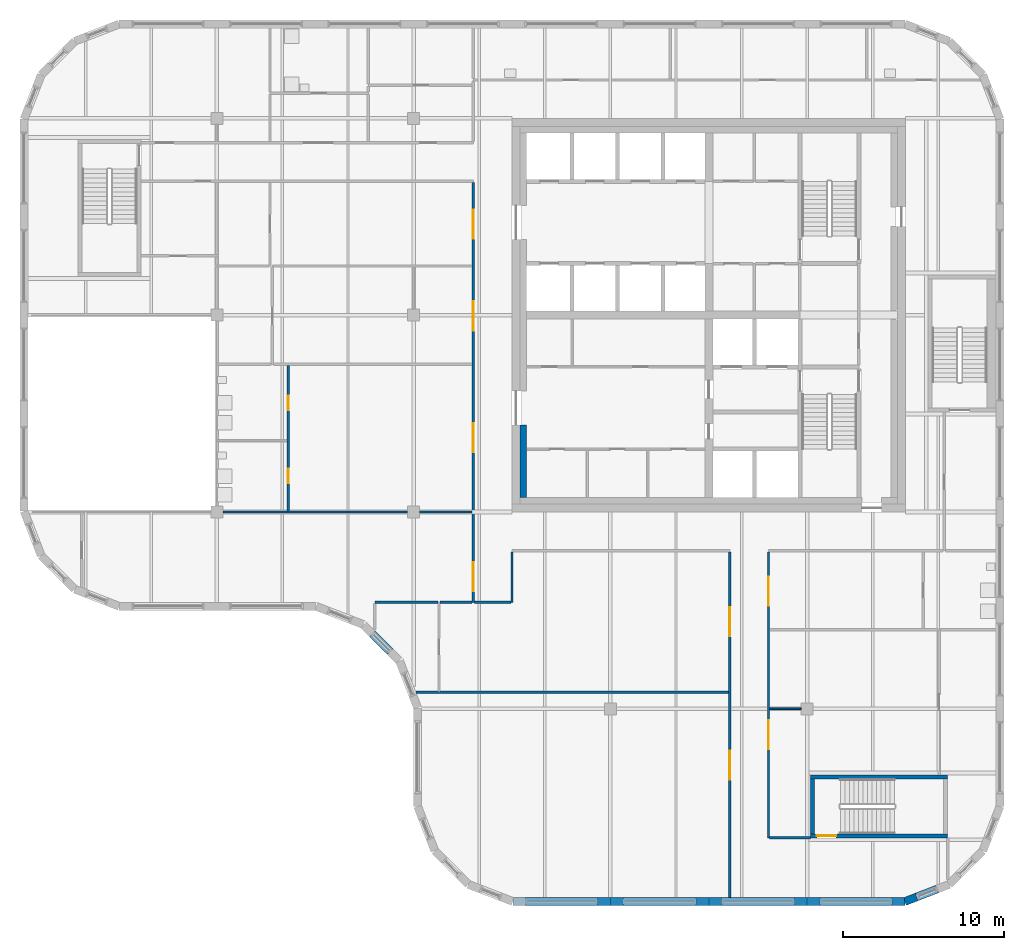
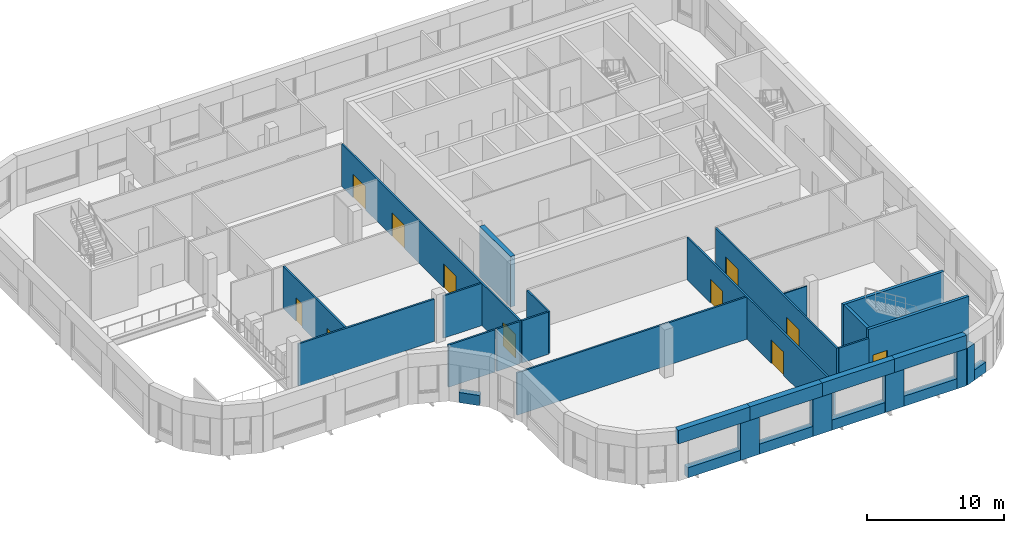
# One storey, part 11 of 21: 32 walls, 11 doors, 11 openings.
"""IFC4 building model written with IfcOpenShell, lengths in metres."""

from ifc_helpers import new_model, si_unit, direction, frame, frame_2d, origin, place, context, subcontext, project, spatial, polyline, rectangle, outline, extrude, faceted_brep, source, transform, mapped, material, layer, layer_set, type_object, element, fill, save


model = new_model("IFC4")

# Units and contexts
model_context = context("Model", 3, precision=1e-05, world=origin(), true_north=direction((0.0, 1.0)))
body_context = subcontext(model_context, "Body", "Model", "MODEL_VIEW")
ifc_project = project(units=[si_unit("LENGTHUNIT", "METRE"), si_unit("AREAUNIT", "SQUARE_METRE"), si_unit("VOLUMEUNIT", "CUBIC_METRE"), si_unit("PLANEANGLEUNIT", "RADIAN"), si_unit("MASSUNIT", "GRAM", prefix="KILO")], contexts=[model_context])

# Site, building, storey
site_placement = place(None, origin())
site = spatial("IfcSite", under=ifc_project, at=site_placement, CompositionType="ELEMENT")
building_placement = place(site_placement, origin())
building = spatial("IfcBuilding", under=site, at=building_placement, Name="Tessera Gate Towers", CompositionType="ELEMENT")
storey_placement = place(building_placement, frame((0.0, 0.0, 193.39990234375)))
storey = spatial("IfcBuildingStorey", under=building, at=storey_placement, Name="L48", CompositionType="ELEMENT", Elevation=193.39990234375)

# Wall, opening, door
ifc_material_1 = material(Name="Concrete C40/50", Category="concrete")
ifc_layer_1 = layer(ifc_material_1, 0.25)
ifc_layer_set_1 = layer_set([ifc_layer_1], Name="CORE ENCLOSURE WALL 250")
wall_type_1 = type_object("IfcWallType", Name="CORE ENCLOSURE WALL 250", PredefinedType="SOLIDWALL", material=ifc_layer_set_1)
wall_1_placement = place(storey_placement, frame((57.5, 4.324951171875, 0.0), z_axis=(0.0, 0.0, 1.0), x_axis=(-1.0, 0.0, 0.0)))
wall_1 = element("IfcWall", 1, at=wall_1_placement, inside=storey, type_object=wall_type_1, Name="L48 ST4 enclosure wall", PredefinedType="SOLIDWALL", context=body_context, shape_type="SweptSolid", body=[
    extrude(rectangle(XDim=8.5, YDim=0.25, at=frame_2d((4.25, 0.0))), origin(), (0.0, 0.0, 1.0), 4.5),
])
shared_shape_1 = source(origin(), body_context, "Body", "SweptSolid", [
    extrude(rectangle(XDim=1.199951171875, YDim=2.10009765625, at=frame_2d((0.60009765625, 1.050048828125))), frame((0.0, 0.135009765625, 0.0), z_axis=(0.0, -1.0, 0.0), x_axis=(1.0, 0.0, 0.0)), (0.0, 0.0, 1.0), 0.27001953125),
])
opening_1_placement = place(wall_1_placement, frame((6.89990234375, 0.0, 0.0)))
opening_1 = element("IfcOpeningElement", 2, at=opening_1_placement, cuts=wall_1, Name="Opening SD-ST4-1", PredefinedType="OPENING", context=body_context, shape_type="MappedRepresentation", body=[
    mapped(shared_shape_1, transform((0.0, 0.0, 0.0), scale=1.0)),
])
ifc_material_2 = material(Name="Hollow steel fire door", Category="steel")
door_type_1 = type_object("IfcDoorType", Name="CORE DOOR SD 1200x2100", OperationType="NOTDEFINED", PredefinedType="DOOR", material=ifc_material_2)
shared_shape_2 = source(origin(), body_context, "Body", "SweptSolid", [
    extrude(rectangle(XDim=1.199951171875, YDim=2.10009765625, at=frame_2d((0.60009765625, 1.050048828125))), frame((0.0, 0.02490234375, 0.0), z_axis=(0.0, -1.0, 0.0), x_axis=(1.0, 0.0, 0.0)), (0.0, 0.0, 1.0), 0.050048828125),
])
door_1_placement = place(opening_1_placement, origin())
door_1 = element("IfcDoor", 3, at=door_1_placement, inside=storey, type_object=door_type_1, Name="Stair door", OperationType="SINGLE_SWING_RIGHT", OverallHeight=2.10009765625, OverallWidth=1.199951171875, PredefinedType="DOOR", context=body_context, shape_type="MappedRepresentation", body=[
    mapped(shared_shape_2, transform((0.0, 0.0, 0.0), scale=1.0)),
])
fill(opening_1, door_1)

# Walls
wall_2_placement = place(storey_placement, frame((49.125, 4.449951171875, 0.0), z_axis=(0.0, 0.0, 1.0), x_axis=(0.0, 1.0, 0.0)))
element("IfcWall", 4, at=wall_2_placement, inside=storey, type_object=wall_type_1, Name="L48 ST4 enclosure wall", PredefinedType="SOLIDWALL", context=body_context, shape_type="SweptSolid", body=[
    extrude(rectangle(XDim=3.400146484375, YDim=0.25, at=frame_2d((1.7001953125, 0.0))), origin(), (0.0, 0.0, 1.0), 4.5),
])
wall_3_placement = place(storey_placement, frame((49.0, 7.97509765625, 0.0), z_axis=(0.0, 0.0, 1.0), x_axis=(1.0, 0.0, 0.0)))
element("IfcWall", 5, at=wall_3_placement, inside=storey, type_object=wall_type_1, Name="L48 ST4 enclosure wall", PredefinedType="SOLIDWALL", context=body_context, shape_type="SweptSolid", body=[
    extrude(rectangle(XDim=8.5, YDim=0.25, at=frame_2d((4.25, 0.0))), origin(), (0.0, 0.0, 1.0), 4.5),
])
ifc_material_3 = material(Name="Concrete C50/60", Category="concrete")
ifc_layer_2 = layer(ifc_material_3, 0.39990234375)
ifc_layer_set_2 = layer_set([ifc_layer_2], Name="CORE WALL THICKENING 400")
wall_type_2 = type_object("IfcWallType", Name="CORE WALL THICKENING 400", PredefinedType="SOLIDWALL", material=ifc_layer_set_2)
wall_4_placement = place(storey_placement, frame((31.199951171875, 25.300048828125, 0.0), z_axis=(0.0, 0.0, 1.0), x_axis=(0.0, 1.0, 0.0)))
element("IfcWall", 6, at=wall_4_placement, inside=storey, type_object=wall_type_2, Name="Core wall thickening W L48", PredefinedType="SOLIDWALL", context=body_context, shape_type="SweptSolid", body=[
    extrude(rectangle(XDim=4.5, YDim=0.39990234375, at=frame_2d((2.25, 0.0))), origin(), (0.0, 0.0, 1.0), 4.5),
])

# Wall, openings, doors
ifc_material_4 = material(Name="Gypsum board on steel studs, mineral wool", Category="steel")
ifc_layer_3 = layer(ifc_material_4, 0.14990234375)
ifc_layer_set_3 = layer_set([ifc_layer_3], Name="CORRIDOR WALL 150")
wall_type_3 = type_object("IfcWallType", Name="CORRIDOR WALL 150", PredefinedType="PARTITIONING", material=ifc_layer_set_3)
wall_5_placement = place(storey_placement, frame((44.0, 0.5, 0.0), z_axis=(0.0, 0.0, 1.0), x_axis=(0.0, 1.0, 0.0)))
wall_5 = element("IfcWall", 7, at=wall_5_placement, inside=storey, type_object=wall_type_3, Name="T1-L48-PW-001", PredefinedType="PARTITIONING", context=body_context, shape_type="SweptSolid", body=[
    extrude(rectangle(XDim=21.424072265625, YDim=0.14990234375, at=frame_2d((10.7119140625, 0.0))), origin(), (0.0, 0.0, 1.0), 3.76708984375),
])
shared_shape_3 = source(origin(), body_context, "Body", "SweptSolid", [
    extrude(rectangle(XDim=1.800048828125, YDim=2.10009765625, at=frame_2d((0.89990234375, 1.050048828125))), frame((0.0, 0.0849609375, 0.0), z_axis=(0.0, -1.0, 0.0), x_axis=(1.0, 0.0, 0.0)), (0.0, 0.0, 1.0), 0.169921875),
])
opening_2_placement = place(wall_5_placement, frame((16.200927734375, 0.0, 0.0)))
opening_2 = element("IfcOpeningElement", 8, at=opening_2_placement, cuts=wall_5, Name="Opening D2180FD60-A35-06", PredefinedType="OPENING", context=body_context, shape_type="MappedRepresentation", body=[
    mapped(shared_shape_3, transform((0.0, 0.0, 0.0), scale=1.0)),
])
opening_3_placement = place(wall_5_placement, frame((7.300048828125, 0.0, 0.0)))
opening_3 = element("IfcOpeningElement", 9, at=opening_3_placement, cuts=wall_5, Name="Opening D2180FD60-A35-07", PredefinedType="OPENING", context=body_context, shape_type="MappedRepresentation", body=[
    mapped(shared_shape_3, transform((0.0, 0.0, 0.0), scale=1.0)),
])
ifc_material_5 = material(Name="Timber door leaf in steel frame", Category="steel")
door_type_2 = type_object("IfcDoorType", Name="TENANCY ENTRANCE DOUBLE DOOR 1800 FD60", OperationType="NOTDEFINED", PredefinedType="DOOR", material=ifc_material_5)
shared_shape_4 = source(origin(), body_context, "Body", "SweptSolid", [
    extrude(rectangle(XDim=1.800048828125, YDim=2.10009765625, at=frame_2d((0.89990234375, 1.050048828125))), frame((0.0, 0.02490234375, 0.0), z_axis=(0.0, -1.0, 0.0), x_axis=(1.0, 0.0, 0.0)), (0.0, 0.0, 1.0), 0.050048828125),
])
door_2_placement = place(opening_2_placement, origin())
door_2 = element("IfcDoor", 10, at=door_2_placement, inside=storey, type_object=door_type_2, Name="T1-L48-PD-021", OperationType="DOUBLE_DOOR_SINGLE_SWING", OverallHeight=2.10009765625, OverallWidth=1.800048828125, PredefinedType="DOOR", context=body_context, shape_type="MappedRepresentation", body=[
    mapped(shared_shape_4, transform((0.0, 0.0, 0.0), scale=1.0)),
])
fill(opening_2, door_2)
door_3_placement = place(opening_3_placement, origin())
door_3 = element("IfcDoor", 11, at=door_3_placement, inside=storey, type_object=door_type_2, Name="T1-L48-PD-022", OperationType="DOUBLE_DOOR_SINGLE_SWING", OverallHeight=2.10009765625, OverallWidth=1.800048828125, PredefinedType="DOOR", context=body_context, shape_type="MappedRepresentation", body=[
    mapped(shared_shape_4, transform((0.0, 0.0, 0.0), scale=1.0)),
])
fill(opening_3, door_3)

wall_6_placement = place(storey_placement, frame((46.39990234375, 21.924072265625, 0.0), z_axis=(0.0, 0.0, 1.0), x_axis=(0.0, -1.0, 0.0)))
wall_6 = element("IfcWall", 12, at=wall_6_placement, inside=storey, type_object=wall_type_3, Name="T1-L48-PW-003", PredefinedType="PARTITIONING", context=body_context, shape_type="SweptSolid", body=[
    extrude(rectangle(XDim=17.72412109375, YDim=0.14990234375, at=frame_2d((8.862060546875, 0.0))), origin(), (0.0, 0.0, 1.0), 3.76708984375),
])
opening_4_placement = place(wall_6_placement, frame((1.52294921875, 0.0, 0.0)))
opening_4 = element("IfcOpeningElement", 13, at=opening_4_placement, cuts=wall_6, Name="Opening D2180FD60-A35-02", PredefinedType="OPENING", context=body_context, shape_type="MappedRepresentation", body=[
    mapped(shared_shape_3, transform((0.0, 0.0, 0.0), scale=1.0)),
])
opening_5_placement = place(wall_6_placement, frame((10.424072265625, 0.0, 0.0)))
opening_5 = element("IfcOpeningElement", 14, at=opening_5_placement, cuts=wall_6, Name="Opening D2180FD60-A35-09", PredefinedType="OPENING", context=body_context, shape_type="MappedRepresentation", body=[
    mapped(shared_shape_3, transform((0.0, 0.0, 0.0), scale=1.0)),
])
door_4_placement = place(opening_4_placement, origin())
door_4 = element("IfcDoor", 15, at=door_4_placement, inside=storey, type_object=door_type_2, Name="T1-L48-PD-009", OperationType="DOUBLE_DOOR_SINGLE_SWING", OverallHeight=2.10009765625, OverallWidth=1.800048828125, PredefinedType="DOOR", context=body_context, shape_type="MappedRepresentation", body=[
    mapped(shared_shape_4, transform((0.0, 0.0, 0.0), scale=1.0)),
])
fill(opening_4, door_4)
door_5_placement = place(opening_5_placement, origin())
door_5 = element("IfcDoor", 16, at=door_5_placement, inside=storey, type_object=door_type_2, Name="T1-L48-PD-027", OperationType="DOUBLE_DOOR_SINGLE_SWING", OverallHeight=2.10009765625, OverallWidth=1.800048828125, PredefinedType="DOOR", context=body_context, shape_type="MappedRepresentation", body=[
    mapped(shared_shape_4, transform((0.0, 0.0, 0.0), scale=1.0)),
])
fill(opening_5, door_5)

# Wall
wall_7_placement = place(storey_placement, frame((46.47607421875, 4.199951171875, 0.0), z_axis=(0.0, 0.0, 1.0), x_axis=(1.0, 0.0, 0.0)))
element("IfcWall", 17, at=wall_7_placement, inside=storey, type_object=wall_type_3, Name="T1-L48-PW-004", PredefinedType="PARTITIONING", context=body_context, shape_type="SweptSolid", body=[
    extrude(rectangle(XDim=2.52392578125, YDim=0.14990234375, at=frame_2d((1.261962890625, 0.0))), origin(), (0.0, 0.0, 1.0), 3.76708984375),
])

# Wall, openings, doors
wall_8_placement = place(storey_placement, frame((28.10009765625, 18.800048828125, 0.0), z_axis=(0.0, 0.0, 1.0), x_axis=(0.0, 1.0, 0.0)))
wall_8 = element("IfcWall", 18, at=wall_8_placement, inside=storey, type_object=wall_type_3, Name="T1-L48-PW-015", PredefinedType="PARTITIONING", context=body_context, shape_type="SweptSolid", body=[
    extrude(rectangle(XDim=26.02392578125, YDim=0.14990234375, at=frame_2d((13.011962890625, 0.0))), origin(), (0.0, 0.0, 1.0), 3.76708984375),
])
opening_6_placement = place(wall_8_placement, frame((0.699951171875, 0.0, 0.0)))
opening_6 = element("IfcOpeningElement", 19, at=opening_6_placement, cuts=wall_8, Name="Opening D2180FD60-A35-01", PredefinedType="OPENING", context=body_context, shape_type="MappedRepresentation", body=[
    mapped(shared_shape_3, transform((0.0, 0.0, 0.0), scale=1.0)),
])
opening_7_placement = place(wall_8_placement, frame((22.551025390625, 0.0, 0.0)))
opening_7 = element("IfcOpeningElement", 20, at=opening_7_placement, cuts=wall_8, Name="Opening D2180FD60-A35-03", PredefinedType="OPENING", context=body_context, shape_type="MappedRepresentation", body=[
    mapped(shared_shape_3, transform((0.0, 0.0, 0.0), scale=1.0)),
])
opening_8_placement = place(wall_8_placement, frame((16.85107421875, 0.0, 0.0)))
opening_8 = element("IfcOpeningElement", 21, at=opening_8_placement, cuts=wall_8, Name="Opening D2180FD60-A35-05", PredefinedType="OPENING", context=body_context, shape_type="MappedRepresentation", body=[
    mapped(shared_shape_3, transform((0.0, 0.0, 0.0), scale=1.0)),
])
opening_9_placement = place(wall_8_placement, frame((9.300048828125, 0.0, 0.0)))
opening_9 = element("IfcOpeningElement", 22, at=opening_9_placement, cuts=wall_8, Name="Opening D2180FD60-A35-08", PredefinedType="OPENING", context=body_context, shape_type="MappedRepresentation", body=[
    mapped(shared_shape_3, transform((0.0, 0.0, 0.0), scale=1.0)),
])
door_6_placement = place(opening_6_placement, origin())
door_6 = element("IfcDoor", 23, at=door_6_placement, inside=storey, type_object=door_type_2, Name="T1-L48-PD-003", OperationType="DOUBLE_DOOR_SINGLE_SWING", OverallHeight=2.10009765625, OverallWidth=1.800048828125, PredefinedType="DOOR", context=body_context, shape_type="MappedRepresentation", body=[
    mapped(shared_shape_4, transform((0.0, 0.0, 0.0), scale=1.0)),
])
fill(opening_6, door_6)
door_7_placement = place(opening_7_placement, origin())
door_7 = element("IfcDoor", 24, at=door_7_placement, inside=storey, type_object=door_type_2, Name="T1-L48-PD-010", OperationType="DOUBLE_DOOR_SINGLE_SWING", OverallHeight=2.10009765625, OverallWidth=1.800048828125, PredefinedType="DOOR", context=body_context, shape_type="MappedRepresentation", body=[
    mapped(shared_shape_4, transform((0.0, 0.0, 0.0), scale=1.0)),
])
fill(opening_7, door_7)
door_8_placement = place(opening_8_placement, origin())
door_8 = element("IfcDoor", 25, at=door_8_placement, inside=storey, type_object=door_type_2, Name="T1-L48-PD-015", OperationType="DOUBLE_DOOR_SINGLE_SWING", OverallHeight=2.10009765625, OverallWidth=1.800048828125, PredefinedType="DOOR", context=body_context, shape_type="MappedRepresentation", body=[
    mapped(shared_shape_4, transform((0.0, 0.0, 0.0), scale=1.0)),
])
fill(opening_8, door_8)
door_9_placement = place(opening_9_placement, origin())
door_9 = element("IfcDoor", 26, at=door_9_placement, inside=storey, type_object=door_type_2, Name="T1-L48-PD-024", OperationType="DOUBLE_DOOR_SINGLE_SWING", OverallHeight=2.10009765625, OverallWidth=1.800048828125, PredefinedType="DOOR", context=body_context, shape_type="MappedRepresentation", body=[
    mapped(shared_shape_4, transform((0.0, 0.0, 0.0), scale=1.0)),
])
fill(opening_9, door_9)

# Walls
wall_9_placement = place(storey_placement, frame((28.176025390625, 18.800048828125, 0.0), z_axis=(0.0, 0.0, 1.0), x_axis=(1.0, 0.0, 0.0)))
element("IfcWall", 27, at=wall_9_placement, inside=storey, type_object=wall_type_3, Name="T1-L48-PW-016", PredefinedType="PARTITIONING", context=body_context, shape_type="SweptSolid", body=[
    extrude(rectangle(XDim=2.248046875, YDim=0.14990234375, at=frame_2d((1.1240234375, 0.0))), origin(), (0.0, 0.0, 1.0), 3.76708984375),
])
wall_10_placement = place(storey_placement, frame((30.5, 18.800048828125, 0.0), z_axis=(0.0, 0.0, 1.0), x_axis=(0.0, 1.0, 0.0)))
element("IfcWall", 28, at=wall_10_placement, inside=storey, type_object=wall_type_3, Name="T1-L48-PW-017", PredefinedType="PARTITIONING", context=body_context, shape_type="SweptSolid", body=[
    extrude(rectangle(XDim=3.1240234375, YDim=0.14990234375, at=frame_2d((1.56201171875, 0.0))), origin(), (0.0, 0.0, 1.0), 3.76708984375),
])
ifc_material_6 = material(Name="Gypsum board on steel studs", Category="steel")
ifc_layer_4 = layer(ifc_material_6, 0.10009765625)
ifc_layer_set_4 = layer_set([ifc_layer_4], Name="PARTITION 100")
wall_type_4 = type_object("IfcWallType", Name="PARTITION 100", PredefinedType="PARTITIONING", material=ifc_layer_set_4)
wall_11_placement = place(storey_placement, frame((48.425048828125, 12.199951171875, 0.0), z_axis=(0.0, 0.0, 1.0), x_axis=(-1.0, 0.0, 0.0)))
element("IfcWall", 29, at=wall_11_placement, inside=storey, type_object=wall_type_4, Name="T1-L48-PW-006", PredefinedType="PARTITIONING", context=body_context, shape_type="SweptSolid", body=[
    extrude(rectangle(XDim=1.949951171875, YDim=0.10009765625, at=frame_2d((0.97509765625, 0.0))), origin(), (0.0, 0.0, 1.0), 3.76708984375),
])
ifc_material_7 = material(Name="Gypsum board on steel studs, mineral wool", Category="steel")
ifc_layer_5 = layer(ifc_material_7, 0.14990234375)
ifc_layer_set_5 = layer_set([ifc_layer_5], Name="TENANCY WALL 150")
wall_type_5 = type_object("IfcWallType", Name="TENANCY WALL 150", PredefinedType="PARTITIONING", material=ifc_layer_set_5)
wall_12_placement = place(storey_placement, frame((24.55029296875, 13.219970703125, 0.0), z_axis=(0.0, 0.0, 1.0), x_axis=(1.0, 0.0, 0.0)))
element("IfcWall", 30, at=wall_12_placement, inside=storey, type_object=wall_type_5, Name="T1-L48-PW-007", PredefinedType="PARTITIONING", context=body_context, shape_type="SweptSolid", body=[
    extrude(rectangle(XDim=19.373779296875, YDim=0.14990234375, at=frame_2d((9.68701171875, 0.0))), origin(), (0.0, 0.0, 1.0), 3.76708984375),
])
wall_13_placement = place(storey_placement, frame((22.0, 18.800048828125, 0.0), z_axis=(0.0, 0.0, 1.0), x_axis=(1.0, 0.0, 0.0)))
element("IfcWall", 31, at=wall_13_placement, inside=storey, type_object=wall_type_5, Name="T1-L48-PW-013", PredefinedType="PARTITIONING", context=body_context, shape_type="SweptSolid", body=[
    extrude(rectangle(XDim=3.89892578125, YDim=0.14990234375, at=frame_2d((1.949462890625, 0.0))), origin(), (0.0, 0.0, 1.0), 3.76708984375),
])
wall_14_placement = place(storey_placement, frame((26.051025390625, 18.800048828125, 0.0), z_axis=(0.0, 0.0, 1.0), x_axis=(1.0, 0.0, 0.0)))
element("IfcWall", 32, at=wall_14_placement, inside=storey, type_object=wall_type_5, Name="T1-L48-PW-014", PredefinedType="PARTITIONING", context=body_context, shape_type="SweptSolid", body=[
    extrude(rectangle(XDim=1.972900390625, YDim=0.14990234375, at=frame_2d((0.986328125, 0.0))), origin(), (0.0, 0.0, 1.0), 3.76708984375),
])
wall_15_placement = place(storey_placement, frame((12.575927734375, 24.39990234375, 0.0), z_axis=(0.0, 0.0, 1.0), x_axis=(1.0, 0.0, 0.0)))
element("IfcWall", 33, at=wall_15_placement, inside=storey, type_object=wall_type_5, Name="T1-L48-PW-023", PredefinedType="PARTITIONING", context=body_context, shape_type="SweptSolid", body=[
    extrude(rectangle(XDim=11.447998046875, YDim=0.14990234375, at=frame_2d((5.72412109375, 0.0))), origin(), (0.0, 0.0, 1.0), 3.76708984375),
])
wall_16_placement = place(storey_placement, frame((24.77587890625, 24.39990234375, 0.0), z_axis=(0.0, 0.0, 1.0), x_axis=(1.0, 0.0, 0.0)))
element("IfcWall", 34, at=wall_16_placement, inside=storey, type_object=wall_type_5, Name="T1-L48-PW-024", PredefinedType="PARTITIONING", context=body_context, shape_type="SweptSolid", body=[
    extrude(rectangle(XDim=3.248046875, YDim=0.14990234375, at=frame_2d((1.6240234375, 0.0))), origin(), (0.0, 0.0, 1.0), 3.76708984375),
])

# Wall, openings, doors
wall_17_placement = place(storey_placement, frame((16.625, 24.47607421875, 0.0), z_axis=(0.0, 0.0, 1.0), x_axis=(0.0, 1.0, 0.0)))
wall_17 = element("IfcWall", 35, at=wall_17_placement, inside=storey, type_object=wall_type_5, Name="T1-L48-PW-025", PredefinedType="PARTITIONING", context=body_context, shape_type="SweptSolid", body=[
    extrude(rectangle(XDim=8.998046875, YDim=0.14990234375, at=frame_2d((4.4990234375, 0.0))), origin(), (0.0, 0.0, 1.0), 3.76708984375),
])
shared_shape_5 = source(origin(), body_context, "Body", "SweptSolid", [
    extrude(rectangle(XDim=0.89990234375, YDim=2.10009765625, at=frame_2d((0.449951171875, 1.050048828125))), frame((0.0, 0.0849609375, 0.0), z_axis=(0.0, -1.0, 0.0), x_axis=(1.0, 0.0, 0.0)), (0.0, 0.0, 1.0), 0.169921875),
])
opening_10_placement = place(wall_17_placement, frame((1.699951171875, 0.0, 0.0)))
opening_10 = element("IfcOpeningElement", 36, at=opening_10_placement, cuts=wall_17, Name="Opening D190-A35-01", PredefinedType="OPENING", context=body_context, shape_type="MappedRepresentation", body=[
    mapped(shared_shape_5, transform((0.0, 0.0, 0.0), scale=1.0)),
])
opening_11_placement = place(wall_17_placement, frame((6.244384765625, 0.0, 0.0)))
opening_11 = element("IfcOpeningElement", 37, at=opening_11_placement, cuts=wall_17, Name="Opening D190-A35-02", PredefinedType="OPENING", context=body_context, shape_type="MappedRepresentation", body=[
    mapped(shared_shape_5, transform((0.0, 0.0, 0.0), scale=1.0)),
])
ifc_material_8 = material(Name="Timber door leaf in steel frame", Category="steel")
door_type_3 = type_object("IfcDoorType", Name="INTERNAL DOOR 900 NOT RATED", OperationType="NOTDEFINED", PredefinedType="DOOR", material=ifc_material_8)
shared_shape_6 = source(origin(), body_context, "Body", "SweptSolid", [
    extrude(rectangle(XDim=0.89990234375, YDim=2.10009765625, at=frame_2d((0.449951171875, 1.050048828125))), frame((0.0, 0.02490234375, 0.0), z_axis=(0.0, -1.0, 0.0), x_axis=(1.0, 0.0, 0.0)), (0.0, 0.0, 1.0), 0.050048828125),
])
door_10_placement = place(opening_10_placement, origin())
door_10 = element("IfcDoor", 38, at=door_10_placement, inside=storey, type_object=door_type_3, Name="T1-L48-PD-004", OperationType="SINGLE_SWING_LEFT", OverallHeight=2.10009765625, OverallWidth=0.89990234375, PredefinedType="DOOR", context=body_context, shape_type="MappedRepresentation", body=[
    mapped(shared_shape_6, transform((0.0, 0.0, 0.0), scale=1.0)),
])
fill(opening_10, door_10)
door_11_placement = place(opening_11_placement, origin())
door_11 = element("IfcDoor", 39, at=door_11_placement, inside=storey, type_object=door_type_3, Name="T1-L48-PD-005", OperationType="SINGLE_SWING_LEFT", OverallHeight=2.10009765625, OverallWidth=0.89990234375, PredefinedType="DOOR", context=body_context, shape_type="MappedRepresentation", body=[
    mapped(shared_shape_6, transform((0.0, 0.0, 0.0), scale=1.0)),
])
fill(opening_11, door_11)

# Walls
ifc_material_9 = material(Name="Precast concrete C60/75 white", Category="concrete")
ifc_layer_6 = layer(ifc_material_9, 0.5)
ifc_layer_set_6 = layer_set([ifc_layer_6], Name="RB1 ring band panel")
wall_type_6 = type_object("IfcWallType", Name="RB1 ring band panel", PredefinedType="SOLIDWALL", material=ifc_layer_set_6)
shared_shape_7 = source(origin(), body_context, "Body", "Brep", [
    faceted_brep([(0.0, -0.25, 0.0), (1.599853515625, -0.25, 0.0), (1.599853515625, -0.25, 3.300048828125), (0.0, -0.25, 3.300048828125), (0.0, 0.25, 3.300048828125), (1.599853515625, 0.25, 3.300048828125), (1.599853515625, 0.25, 0.0), (0.0, 0.25, 0.0)], [[[0, 1, 2, 3]], [[4, 5, 6, 7]], [[7, 6, 1, 0]], [[5, 4, 3, 2]], [[4, 7, 0, 3]], [[1, 6, 5, 2]]]),
])
wall_18_placement = place(storey_placement, frame((35.800048828125, 0.25, 0.0), z_axis=(0.0, 0.0, 1.0), x_axis=(1.0, 0.0, 0.0)))
element("IfcWall", 40, at=wall_18_placement, inside=storey, type_object=wall_type_6, Name="Ring band panel T1 RB1-0256", PredefinedType="SOLIDWALL", context=body_context, shape_type="MappedRepresentation", body=[
    mapped(shared_shape_7, transform((0.0, 0.0, 0.0), scale=1.0)),
])
shared_shape_8 = source(origin(), body_context, "Body", "SweptSolid", [
    extrude(outline(polyline([(0.0, 0.0), (1.60009765625, 0.0), (1.60009765625, 3.300048828125), (0.0, 3.300048828125), (0.0, 0.0)])), frame((0.0, 0.25, 0.0), z_axis=(0.0, -1.0, 0.0), x_axis=(1.0, 0.0, 0.0)), (0.0, 0.0, 1.0), 0.5),
])
for number, where, z_axis, x_axis, name in (
    (41, (41.89990234375, 0.25, 0.0), (0.0, 0.0, 1.0), (1.0, 0.0, 0.0), "Ring band panel T1 RB1-0257"),
    (42, (48.0, 0.25, 0.0), (0.0, 0.0, 1.0), (1.0, 0.0, 0.0), "Ring band panel T1 RB1-0258"),
):
    element("IfcWall", number, at=place(storey_placement, frame(where, z_axis=z_axis, x_axis=x_axis)), inside=storey, type_object=wall_type_6, Name=name, PredefinedType="SOLIDWALL", context=body_context, shape_type="MappedRepresentation", body=[
        mapped(shared_shape_8, transform((0.0, 0.0, 0.0), scale=1.0)),
    ])
shared_shape_9 = source(origin(), body_context, "Body", "Brep", [
    faceted_brep([(0.0, -0.25, 0.0), (0.800048828125, -0.25, 0.0), (0.800048828125, -0.25, 3.300048828125), (0.0, -0.25, 3.300048828125), (0.0, 0.25, 3.300048828125), (0.75341796875, 0.25, 3.300048828125), (0.75341796875, 0.25, 0.0), (0.0, 0.25, 0.0), (0.800048828125, -0.000244140625, 0.0), (0.800048828125, -0.000244140625, 3.300048828125)], [[[0, 1, 2, 3]], [[4, 5, 6, 7]], [[7, 6, 8, 1, 0]], [[9, 2, 1, 8]], [[5, 4, 3, 2, 9]], [[4, 7, 0, 3]], [[8, 6, 5, 9]]]),
])
wall_19_placement = place(storey_placement, frame((54.053466796875, 0.25, 0.0), z_axis=(0.0, 0.0, 1.0), x_axis=(1.0, 0.0, 0.0)))
element("IfcWall", 43, at=wall_19_placement, inside=storey, type_object=wall_type_6, Name="Ring band panel T1 RB1-0259", PredefinedType="SOLIDWALL", context=body_context, shape_type="MappedRepresentation", body=[
    mapped(shared_shape_9, transform((0.0, 0.0, 0.0), scale=1.0)),
])
shared_shape_10 = source(origin(), body_context, "Body", "SweptSolid", [
    extrude(outline(polyline([(0.0, 0.0), (4.453369140625, 0.0), (4.453369140625, 0.900146484375), (0.0, 0.900146484375), (0.0, 0.0)])), frame((0.0, 0.25, 0.0), z_axis=(0.0, -1.0, 0.0), x_axis=(1.0, 0.0, 0.0)), (0.0, 0.0, 1.0), 0.5),
])
for number, where, z_axis, x_axis, name in (
    (44, (31.346435546875, 0.25, 0.0), (0.0, 0.0, 1.0), (1.0, 0.0, 0.0), "Ring band panel T1 RB1-0260"),
    (45, (49.60009765625, 0.25, 0.0), (0.0, 0.0, 1.0), (1.0, 0.0, 0.0), "Ring band panel T1 RB1-0266"),
):
    element("IfcWall", number, at=place(storey_placement, frame(where, z_axis=z_axis, x_axis=x_axis)), inside=storey, type_object=wall_type_6, Name=name, PredefinedType="SOLIDWALL", context=body_context, shape_type="MappedRepresentation", body=[
        mapped(shared_shape_10, transform((0.0, 0.0, 0.0), scale=1.0)),
    ])
shared_shape_11 = source(origin(), body_context, "Body", "Brep", [
    faceted_brep([(0.0, -0.25, 0.0), (6.053466796875, -0.25, 0.0), (6.053466796875, -0.25, 1.199951171875), (0.0, -0.25, 1.199951171875), (0.046630859375, 0.25, 1.199951171875), (6.053466796875, 0.25, 1.199951171875), (6.053466796875, 0.25, 0.0), (0.046630859375, 0.25, 0.0), (0.0, 0.0, 0.0), (0.0, 0.0, 1.199951171875)], [[[0, 1, 2, 3]], [[4, 5, 6, 7]], [[7, 6, 1, 0, 8]], [[5, 4, 9, 3, 2]], [[8, 0, 3, 9]], [[7, 8, 9, 4]], [[1, 6, 5, 2]]]),
])
wall_20_placement = place(storey_placement, frame((30.546630859375, 0.25, 3.300048828125), z_axis=(0.0, 0.0, 1.0), x_axis=(1.0, 0.0, 0.0)))
element("IfcWall", 46, at=wall_20_placement, inside=storey, type_object=wall_type_6, Name="Ring band panel T1 RB1-0261", PredefinedType="SOLIDWALL", context=body_context, shape_type="MappedRepresentation", body=[
    mapped(shared_shape_11, transform((0.0, 0.0, 0.0), scale=1.0)),
])
shared_shape_12 = source(origin(), body_context, "Body", "SweptSolid", [
    extrude(outline(polyline([(0.0, 0.0), (4.5, 0.0), (4.5, 0.900146484375), (0.0, 0.900146484375), (0.0, 0.0)])), frame((0.0, 0.25, 0.0), z_axis=(0.0, -1.0, 0.0), x_axis=(1.0, 0.0, 0.0)), (0.0, 0.0, 1.0), 0.5),
])
for number, where, z_axis, x_axis, name in (
    (47, (37.39990234375, 0.25, 0.0), (0.0, 0.0, 1.0), (1.0, 0.0, 0.0), "Ring band panel T1 RB1-0262"),
    (48, (43.5, 0.25, 0.0), (0.0, 0.0, 1.0), (1.0, 0.0, 0.0), "Ring band panel T1 RB1-0264"),
):
    element("IfcWall", number, at=place(storey_placement, frame(where, z_axis=z_axis, x_axis=x_axis)), inside=storey, type_object=wall_type_6, Name=name, PredefinedType="SOLIDWALL", context=body_context, shape_type="MappedRepresentation", body=[
        mapped(shared_shape_12, transform((0.0, 0.0, 0.0), scale=1.0)),
    ])
shared_shape_13 = source(origin(), body_context, "Body", "Brep", [
    faceted_brep([(0.0, -0.25, 0.0), (6.099853515625, -0.25, 0.0), (6.099853515625, -0.25, 1.199951171875), (0.0, -0.25, 1.199951171875), (0.0, 0.25, 1.199951171875), (6.099853515625, 0.25, 1.199951171875), (6.099853515625, 0.25, 0.0), (0.0, 0.25, 0.0)], [[[0, 1, 2, 3]], [[4, 5, 6, 7]], [[7, 6, 1, 0]], [[5, 4, 3, 2]], [[4, 7, 0, 3]], [[1, 6, 5, 2]]]),
])
wall_21_placement = place(storey_placement, frame((36.60009765625, 0.25, 3.300048828125), z_axis=(0.0, 0.0, 1.0), x_axis=(1.0, 0.0, 0.0)))
element("IfcWall", 49, at=wall_21_placement, inside=storey, type_object=wall_type_6, Name="Ring band panel T1 RB1-0263", PredefinedType="SOLIDWALL", context=body_context, shape_type="MappedRepresentation", body=[
    mapped(shared_shape_13, transform((0.0, 0.0, 0.0), scale=1.0)),
])
shared_shape_14 = source(origin(), body_context, "Body", "SweptSolid", [
    extrude(outline(polyline([(0.0, 0.0), (6.10009765625, 0.0), (6.10009765625, 1.199951171875), (0.0, 1.199951171875), (0.0, 0.0)])), frame((0.0, 0.25, 0.0), z_axis=(0.0, -1.0, 0.0), x_axis=(1.0, 0.0, 0.0)), (0.0, 0.0, 1.0), 0.5),
])
wall_22_placement = place(storey_placement, frame((42.699951171875, 0.25, 3.300048828125), z_axis=(0.0, 0.0, 1.0), x_axis=(1.0, 0.0, 0.0)))
element("IfcWall", 50, at=wall_22_placement, inside=storey, type_object=wall_type_6, Name="Ring band panel T1 RB1-0265", PredefinedType="SOLIDWALL", context=body_context, shape_type="MappedRepresentation", body=[
    mapped(shared_shape_14, transform((0.0, 0.0, 0.0), scale=1.0)),
])
shared_shape_15 = source(origin(), body_context, "Body", "Brep", [
    faceted_brep([(0.0, -0.25, 0.0), (6.053466796875, -0.25, 0.0), (6.053466796875, -0.25, 1.199951171875), (0.0, -0.25, 1.199951171875), (0.0, 0.25, 1.199951171875), (6.0068359375, 0.25, 1.199951171875), (6.0068359375, 0.25, 0.0), (0.0, 0.25, 0.0), (6.053466796875, 0.0, 0.0), (6.053466796875, 0.0, 1.199951171875)], [[[0, 1, 2, 3]], [[4, 5, 6, 7]], [[7, 6, 8, 1, 0]], [[9, 2, 1, 8]], [[5, 4, 3, 2, 9]], [[4, 7, 0, 3]], [[8, 6, 5, 9]]]),
])
wall_23_placement = place(storey_placement, frame((48.800048828125, 0.25, 3.300048828125), z_axis=(0.0, 0.0, 1.0), x_axis=(1.0, 0.0, 0.0)))
element("IfcWall", 51, at=wall_23_placement, inside=storey, type_object=wall_type_6, Name="Ring band panel T1 RB1-0267", PredefinedType="SOLIDWALL", context=body_context, shape_type="MappedRepresentation", body=[
    mapped(shared_shape_15, transform((0.0, 0.0, 0.0), scale=1.0)),
])
shared_shape_16 = source(origin(), body_context, "Body", "Brep", [
    faceted_brep([(0.0, -0.25, 0.0), (0.800048828125, -0.25, 0.0), (0.800048828125, -0.25, 3.300048828125), (0.0, -0.25, 3.300048828125), (0.046630859375, 0.25, 3.300048828125), (0.800048828125, 0.25, 3.300048828125), (0.800048828125, 0.25, 0.0), (0.046630859375, 0.25, 0.0), (0.0, 0.0, 0.0), (0.0, 0.0, 3.300048828125)], [[[0, 1, 2, 3]], [[4, 5, 6, 7]], [[7, 6, 1, 0, 8]], [[5, 4, 9, 3, 2]], [[8, 0, 3, 9]], [[7, 8, 9, 4]], [[1, 6, 5, 2]]]),
])
wall_24_placement = place(storey_placement, frame((54.853515625, 0.25, 0.0), z_axis=(0.0, 0.0, 1.0), x_axis=(0.93301483327, 0.3598379092, 0.0)))
element("IfcWall", 52, at=wall_24_placement, inside=storey, type_object=wall_type_6, Name="Ring band panel T1 RB1-0268", PredefinedType="SOLIDWALL", context=body_context, shape_type="MappedRepresentation", body=[
    mapped(shared_shape_16, transform((0.0, 0.0, 0.0), scale=1.0)),
])
shared_shape_17 = source(origin(), body_context, "Body", "SweptSolid", [
    extrude(outline(polyline([(0.0, 0.0), (1.3505859375, 0.0), (1.3505859375, 0.900146484375), (0.0, 0.900146484375), (0.0, 0.0)])), frame((0.0, 0.25, 0.0), z_axis=(0.0, -1.0, 0.0), x_axis=(1.0, 0.0, 0.0)), (0.0, 0.0, 1.0), 0.5),
])
wall_25_placement = place(storey_placement, frame((55.599853515625, 0.537841796875, 0.0), z_axis=(0.0, 0.0, 1.0), x_axis=(0.932981713512, 0.359923772835, 0.0)))
element("IfcWall", 53, at=wall_25_placement, inside=storey, type_object=wall_type_6, Name="Ring band panel T1 RB1-0270", PredefinedType="SOLIDWALL", context=body_context, shape_type="MappedRepresentation", body=[
    mapped(shared_shape_17, transform((0.0, 0.0, 0.0), scale=1.0)),
])
shared_shape_18 = source(origin(), body_context, "Body", "SweptSolid", [
    extrude(outline(polyline([(0.0, 0.0), (1.555908203125, 0.0), (1.555908203125, 0.900146484375), (0.0, 0.900146484375), (0.0, 0.0)])), frame((0.0, 0.25, 0.0), z_axis=(0.0, -1.0, 0.0), x_axis=(1.0, 0.0, 0.0)), (0.0, 0.0, 1.0), 0.5),
])
wall_26_placement = place(storey_placement, frame((21.8505859375, 16.850830078125, 0.0), z_axis=(0.0, 0.0, 1.0), x_axis=(0.707185230931, -0.707028322737, 0.0)))
element("IfcWall", 54, at=wall_26_placement, inside=storey, type_object=wall_type_6, Name="Ring band panel T1 RB1-0389", PredefinedType="SOLIDWALL", context=body_context, shape_type="MappedRepresentation", body=[
    mapped(shared_shape_18, transform((0.0, 0.0, 0.0), scale=1.0)),
])

save(model, "model.ifc")
